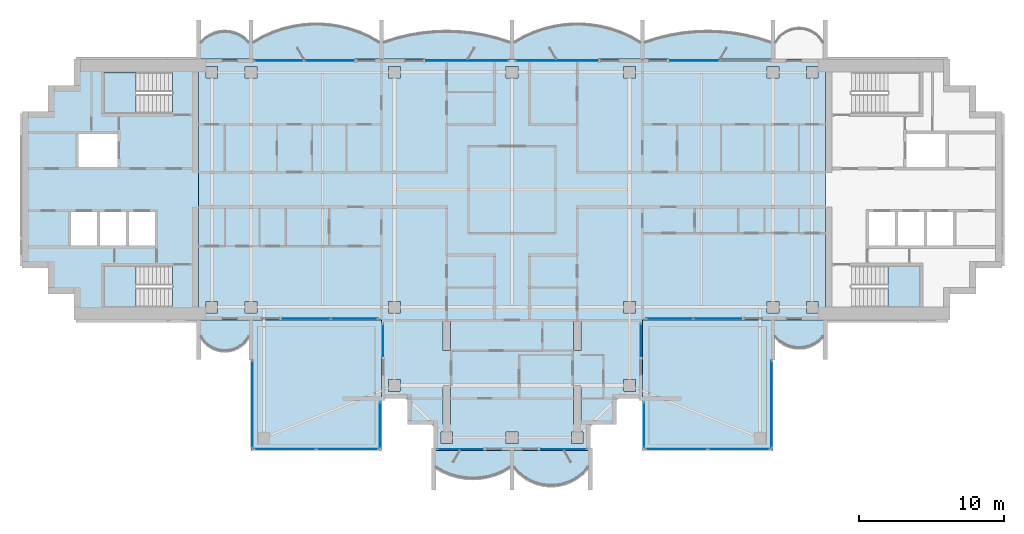
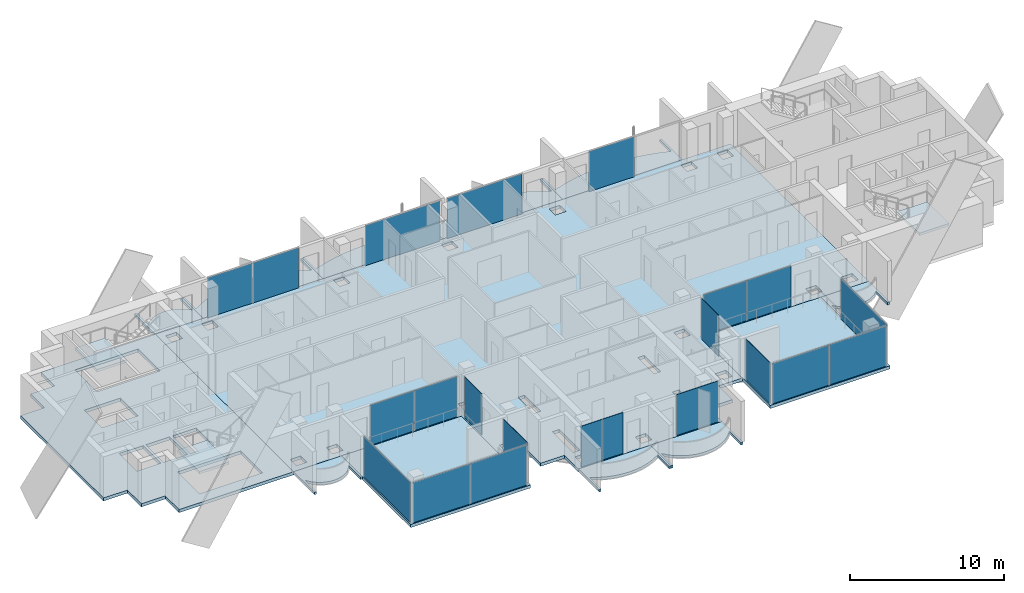
# One storey, part 5 of 16: 21 plates, 16 slabs, 19 elements without a shape of their own.
"""IFC4 building model written with IfcOpenShell, lengths in metres."""

from ifc_helpers import new_model, si_unit, direction, frame, origin, origin_2d, place, context, subcontext, project, spatial, polyline, rectangle, outline, extrude, material, layer, layer_set, type_object, element, aggregate, save


model = new_model("IFC4")

# Units and contexts
model_context = context("Model", 3, precision=1e-05, world=origin(), true_north=direction((0.0, 1.0)))
body_context = subcontext(model_context, "Body", "Model", "MODEL_VIEW")
ifc_project = project(units=[si_unit("LENGTHUNIT", "METRE"), si_unit("AREAUNIT", "SQUARE_METRE"), si_unit("VOLUMEUNIT", "CUBIC_METRE"), si_unit("PLANEANGLEUNIT", "RADIAN"), si_unit("MASSUNIT", "GRAM", prefix="KILO")], contexts=[model_context])

# Site, building, storey
site_placement = place(None, origin())
site = spatial("IfcSite", under=ifc_project, at=site_placement, CompositionType="ELEMENT")
building_placement = place(site_placement, origin())
building = spatial("IfcBuilding", under=site, at=building_placement, Name="Perihelion Cross Residences", CompositionType="ELEMENT")
storey_placement = place(building_placement, frame((0.0, 0.0, 239.5)))
storey = spatial("IfcBuildingStorey", under=building, at=storey_placement, Name="L60", CompositionType="ELEMENT", Elevation=239.5)

# Slabs
ifc_material_1 = material(Name="Concrete C40/50", Category="concrete")
ifc_layer_1 = layer(ifc_material_1, 0.199951171875)
ifc_layer_set_1 = layer_set([ifc_layer_1], Name="Balcony slab 200")
slab_type_1 = type_object("IfcSlabType", Name="Balcony slab 200", PredefinedType="FLOOR", material=ifc_layer_set_1)
slab_1_placement = place(storey_placement, frame((0.0, 0.0, -0.199951171875)))
element("IfcSlab", 1, at=slab_1_placement, inside=storey, type_object=slab_type_1, Name="Slab BK1 L60 east side north bay 2 balcony", PredefinedType="FLOOR", context=body_context, shape_type="SweptSolid", body=[
    extrude(outline(polyline([(18.0, 9.0), (9.0, 9.0), (9.0, 11.699951171875), (9.14990234375, 11.699951171875), (9.14990234375, 10.199951171875), (10.02001953125, 10.47509765625), (10.889892578125, 10.68505859375), (11.760009765625, 10.8330078125), (12.6298828125, 10.9208984375), (13.5, 10.949951171875), (14.3701171875, 10.9208984375), (15.239990234375, 10.8330078125), (16.110107421875, 10.68505859375), (16.97998046875, 10.47509765625), (17.85009765625, 10.199951171875), (17.85009765625, 11.699951171875), (18.0, 11.699951171875), (18.0, 9.0)])), origin(), (0.0, 0.0, 1.0), 0.199951171875),
])
slab_2_placement = place(storey_placement, frame((0.0, 0.0, -0.199951171875)))
element("IfcSlab", 2, at=slab_2_placement, inside=storey, type_object=slab_type_1, Name="Slab BK1 L60 north side east bay 1 balcony", PredefinedType="FLOOR", context=body_context, shape_type="SweptSolid", body=[
    extrude(outline(polyline([(9.0, 9.0), (0.0, 9.0), (0.0, 11.699951171875), (0.14990234375, 11.699951171875), (0.14990234375, 10.199951171875), (0.8193359375, 10.57666015625), (1.488525390625, 10.87646484375), (2.15771484375, 11.108154296875), (2.826904296875, 11.27734375), (3.49609375, 11.38818359375), (4.165283203125, 11.443115234375), (4.834716796875, 11.443115234375), (5.50390625, 11.38818359375), (6.173095703125, 11.27734375), (6.84228515625, 11.108154296875), (7.511474609375, 10.87646484375), (8.1806640625, 10.57666015625), (8.85009765625, 10.199951171875), (8.85009765625, 11.699951171875), (9.0, 11.699951171875), (9.0, 9.0)])), origin(), (0.0, 0.0, 1.0), 0.199951171875),
])
slab_3_placement = place(storey_placement, frame((0.0, 0.0, -0.199951171875)))
element("IfcSlab", 3, at=slab_3_placement, inside=storey, type_object=slab_type_1, Name="Slab BK1 L60 north side east bay 2 balcony", PredefinedType="FLOOR", context=body_context, shape_type="SweptSolid", body=[
    extrude(outline(polyline([(0.0, 9.0), (-9.0, 9.0), (-9.0, 11.699951171875), (-8.85009765625, 11.699951171875), (-8.85009765625, 10.199951171875), (-7.97998046875, 10.47509765625), (-7.110107421875, 10.68505859375), (-6.239990234375, 10.8330078125), (-5.3701171875, 10.9208984375), (-4.5, 10.949951171875), (-3.6298828125, 10.9208984375), (-2.760009765625, 10.8330078125), (-1.889892578125, 10.68505859375), (-1.02001953125, 10.47509765625), (-0.14990234375, 10.199951171875), (-0.14990234375, 11.699951171875), (0.0, 11.699951171875), (0.0, 9.0)])), origin(), (0.0, 0.0, 1.0), 0.199951171875),
])
slab_4_placement = place(storey_placement, frame((0.0, 0.0, -0.199951171875)))
element("IfcSlab", 4, at=slab_4_placement, inside=storey, type_object=slab_type_1, Name="Slab BK1 L60 west side north bay 1 balcony", PredefinedType="FLOOR", context=body_context, shape_type="SweptSolid", body=[
    extrude(outline(polyline([(-9.0, 9.0), (-18.0, 9.0), (-18.0, 11.699951171875), (-17.85009765625, 11.699951171875), (-17.85009765625, 10.199951171875), (-17.1806640625, 10.57666015625), (-16.511474609375, 10.87646484375), (-15.84228515625, 11.108154296875), (-15.173095703125, 11.27734375), (-14.50390625, 11.38818359375), (-13.834716796875, 11.443115234375), (-13.165283203125, 11.443115234375), (-12.49609375, 11.38818359375), (-11.826904296875, 11.27734375), (-11.15771484375, 11.108154296875), (-10.488525390625, 10.87646484375), (-9.8193359375, 10.57666015625), (-9.14990234375, 10.199951171875), (-9.14990234375, 11.699951171875), (-9.0, 11.699951171875), (-9.0, 9.0)])), origin(), (0.0, 0.0, 1.0), 0.199951171875),
])
slab_5_placement = place(storey_placement, frame((0.0, 0.0, -0.199951171875)))
element("IfcSlab", 5, at=slab_5_placement, inside=storey, type_object=slab_type_1, Name="Slab BK1 L60 west side north bay 2 balcony", PredefinedType="FLOOR", context=body_context, shape_type="SweptSolid", body=[
    extrude(outline(polyline([(-18.0, 9.0), (-21.60009765625, 9.0), (-21.60009765625, 11.699951171875), (-21.449951171875, 11.699951171875), (-21.449951171875, 10.199951171875), (-21.1201171875, 10.507568359375), (-20.7900390625, 10.71337890625), (-20.4599609375, 10.84814453125), (-20.1298828125, 10.925048828125), (-19.800048828125, 10.949951171875), (-19.469970703125, 10.925048828125), (-19.139892578125, 10.84814453125), (-18.81005859375, 10.71337890625), (-18.47998046875, 10.507568359375), (-18.14990234375, 10.199951171875), (-18.14990234375, 11.699951171875), (-18.0, 11.699951171875), (-18.0, 9.0)])), origin(), (0.0, 0.0, 1.0), 0.199951171875),
])
slab_6_placement = place(storey_placement, frame((0.0, 0.0, -0.199951171875)))
element("IfcSlab", 6, at=slab_6_placement, inside=storey, type_object=slab_type_1, Name="Slab BK1 L60 west side south bay 1 balcony", PredefinedType="FLOOR", context=body_context, shape_type="SweptSolid", body=[
    extrude(outline(polyline([(-21.60009765625, -9.0), (-18.0, -9.0), (-18.0, -11.699951171875), (-18.14990234375, -11.699951171875), (-18.14990234375, -10.199951171875), (-18.425048828125, -10.568603515625), (-18.699951171875, -10.806396484375), (-18.97509765625, -10.96875), (-19.25, -11.07568359375), (-19.52490234375, -11.136962890625), (-19.800048828125, -11.156982421875), (-20.074951171875, -11.136962890625), (-20.35009765625, -11.07568359375), (-20.625, -10.96875), (-20.89990234375, -10.806396484375), (-21.175048828125, -10.568603515625), (-21.449951171875, -10.199951171875), (-21.449951171875, -11.699951171875), (-21.60009765625, -11.699951171875), (-21.60009765625, -9.0)])), origin(), (0.0, 0.0, 1.0), 0.199951171875),
])
slab_7_placement = place(storey_placement, frame((0.0, 0.0, -0.199951171875)))
element("IfcSlab", 7, at=slab_7_placement, inside=storey, type_object=slab_type_1, Name="Slab BK1 L60 south tip south bay 1 balcony", PredefinedType="FLOOR", context=body_context, shape_type="SweptSolid", body=[
    extrude(outline(polyline([(-5.39990234375, -18.0), (0.0, -18.0), (0.0, -20.699951171875), (-0.14990234375, -20.699951171875), (-0.14990234375, -19.199951171875), (-0.659912109375, -19.4853515625), (-1.169921875, -19.694580078125), (-1.679931640625, -19.838134765625), (-2.18994140625, -19.92236328125), (-2.699951171875, -19.949951171875), (-3.2099609375, -19.92236328125), (-3.719970703125, -19.838134765625), (-4.22998046875, -19.694580078125), (-4.739990234375, -19.4853515625), (-5.25, -19.199951171875), (-5.25, -20.699951171875), (-5.39990234375, -20.699951171875), (-5.39990234375, -18.0)])), origin(), (0.0, 0.0, 1.0), 0.199951171875),
])
slab_8_placement = place(storey_placement, frame((0.0, 0.0, -0.199951171875)))
element("IfcSlab", 8, at=slab_8_placement, inside=storey, type_object=slab_type_1, Name="Slab BK1 L60 south tip south bay 2 balcony", PredefinedType="FLOOR", context=body_context, shape_type="SweptSolid", body=[
    extrude(outline(polyline([(0.0, -18.0), (5.39990234375, -18.0), (5.39990234375, -20.699951171875), (5.25, -20.699951171875), (5.25, -19.199951171875), (4.857666015625, -19.622314453125), (4.46533203125, -19.924072265625), (4.072998046875, -20.143310546875), (3.6806640625, -20.29736328125), (3.28857421875, -20.39599609375), (2.896240234375, -20.444091796875), (2.50390625, -20.444091796875), (2.111572265625, -20.39599609375), (1.71923828125, -20.29736328125), (1.326904296875, -20.143310546875), (0.9345703125, -19.924072265625), (0.542236328125, -19.622314453125), (0.14990234375, -19.199951171875), (0.14990234375, -20.699951171875), (0.0, -20.699951171875), (0.0, -18.0)])), origin(), (0.0, 0.0, 1.0), 0.199951171875),
])
slab_9_placement = place(storey_placement, frame((0.0, 0.0, -0.199951171875)))
element("IfcSlab", 9, at=slab_9_placement, inside=storey, type_object=slab_type_1, Name="Slab BK1 L60 east side south bay 2 balcony", PredefinedType="FLOOR", context=body_context, shape_type="SweptSolid", body=[
    extrude(outline(polyline([(18.0, -9.0), (21.60009765625, -9.0), (21.60009765625, -11.699951171875), (21.449951171875, -11.699951171875), (21.449951171875, -10.199951171875), (21.1201171875, -10.507568359375), (20.7900390625, -10.71337890625), (20.4599609375, -10.84814453125), (20.1298828125, -10.925048828125), (19.800048828125, -10.949951171875), (19.469970703125, -10.925048828125), (19.139892578125, -10.84814453125), (18.81005859375, -10.71337890625), (18.47998046875, -10.507568359375), (18.14990234375, -10.199951171875), (18.14990234375, -11.699951171875), (18.0, -11.699951171875), (18.0, -9.0)])), origin(), (0.0, 0.0, 1.0), 0.199951171875),
])

# Curtain wall, plate
ifc_material_2 = material(Name="Bronze anodised aluminium, tinted glazing", Category="aluminium")
curtain_wall_type_1 = type_object("IfcCurtainWallType", Name="CW1", PredefinedType="NOTDEFINED", material=ifc_material_2)
curtain_wall_1_placement = place(storey_placement, origin())
curtain_wall_1 = element("IfcCurtainWall", 10, at=curtain_wall_1_placement, inside=storey, type_object=curtain_wall_type_1, Name="Curtain wall CW1 L60 east side north bay 2", PredefinedType="NOTDEFINED")
ifc_material_3 = material(Name="Tinted laminated glass", Category="glass")
ifc_layer_2 = layer(ifc_material_3, 0.028076171875)
ifc_layer_set_2 = layer_set([ifc_layer_2], Name="CW1 panel")
plate_type_1 = type_object("IfcPlateType", Name="CW1 panel", PredefinedType="CURTAIN_PANEL", material=ifc_layer_set_2)
plate_1_placement = place(storey_placement, frame((12.610107421875, 8.89990234375, 0.0), z_axis=(0.0, 0.0, 1.0), x_axis=(-1.0, 0.0, 0.0)))
plate_1 = element("IfcPlate", 11, at=plate_1_placement, type_object=plate_type_1, Name="CW1 panel 2", PredefinedType="CURTAIN_PANEL", context=body_context, shape_type="SweptSolid", body=[
    extrude(rectangle(XDim=3.419921875, YDim=0.028076171875, at=origin_2d()), origin(), (0.0, 0.0, 1.0), 3.18994140625),
])
aggregate(curtain_wall_1, [plate_1])

curtain_wall_2_placement = place(storey_placement, origin())
curtain_wall_2 = element("IfcCurtainWall", 12, at=curtain_wall_2_placement, inside=storey, type_object=curtain_wall_type_1, Name="Curtain wall CW1 L60 north side east bay 1", PredefinedType="NOTDEFINED")
plate_2_placement = place(storey_placement, frame((3.080078125, 8.89990234375, 0.0), z_axis=(0.0, 0.0, 1.0), x_axis=(-1.0, 0.0, 0.0)))
plate_2 = element("IfcPlate", 13, at=plate_2_placement, type_object=plate_type_1, Name="CW1 panel 1", PredefinedType="CURTAIN_PANEL", context=body_context, shape_type="SweptSolid", body=[
    extrude(rectangle(XDim=5.639892578125, YDim=0.028076171875, at=origin_2d()), origin(), (0.0, 0.0, 1.0), 3.18994140625),
])
aggregate(curtain_wall_2, [plate_2])

curtain_wall_3_placement = place(storey_placement, origin())
curtain_wall_3 = element("IfcCurtainWall", 14, at=curtain_wall_3_placement, inside=storey, type_object=curtain_wall_type_1, Name="Curtain wall CW1 L60 north side east bay 2", PredefinedType="NOTDEFINED")
plate_3_placement = place(storey_placement, frame((-3.080078125, 8.89990234375, 0.0), z_axis=(0.0, 0.0, 1.0), x_axis=(-1.0, 0.0, 0.0)))
plate_3 = element("IfcPlate", 15, at=plate_3_placement, type_object=plate_type_1, Name="CW1 panel 1", PredefinedType="CURTAIN_PANEL", context=body_context, shape_type="SweptSolid", body=[
    extrude(rectangle(XDim=5.639892578125, YDim=0.028076171875, at=origin_2d()), origin(), (0.0, 0.0, 1.0), 3.18994140625),
])
aggregate(curtain_wall_3, [plate_3])

# Curtain wall, plates
curtain_wall_4_placement = place(storey_placement, origin())
curtain_wall_4 = element("IfcCurtainWall", 16, at=curtain_wall_4_placement, inside=storey, type_object=curtain_wall_type_1, Name="Curtain wall CW1 L60 west side north bay 1", PredefinedType="NOTDEFINED")
plate_4_placement = place(storey_placement, frame((-12.610107421875, 8.89990234375, 0.0), z_axis=(0.0, 0.0, 1.0), x_axis=(-1.0, 0.0, 0.0)))
plate_4 = element("IfcPlate", 17, at=plate_4_placement, type_object=plate_type_1, Name="CW1 panel 1", PredefinedType="CURTAIN_PANEL", context=body_context, shape_type="SweptSolid", body=[
    extrude(rectangle(XDim=3.419921875, YDim=0.028076171875, at=origin_2d()), origin(), (0.0, 0.0, 1.0), 3.18994140625),
])
plate_5_placement = place(storey_placement, frame((-16.06005859375, 8.89990234375, 0.0), z_axis=(0.0, 0.0, 1.0), x_axis=(-1.0, 0.0, 0.0)))
plate_5 = element("IfcPlate", 18, at=plate_5_placement, type_object=plate_type_1, Name="CW1 panel 2", PredefinedType="CURTAIN_PANEL", context=body_context, shape_type="SweptSolid", body=[
    extrude(rectangle(XDim=3.360107421875, YDim=0.028076171875, at=origin_2d()), origin(), (0.0, 0.0, 1.0), 3.18994140625),
])
aggregate(curtain_wall_4, [plate_4, plate_5])

curtain_wall_5_placement = place(storey_placement, origin())
curtain_wall_5 = element("IfcCurtainWall", 19, at=curtain_wall_5_placement, inside=storey, type_object=curtain_wall_type_1, Name="Curtain wall CW1 L60 west side south bay 2", PredefinedType="NOTDEFINED")
plate_6_placement = place(storey_placement, frame((-14.1650390625, -8.89990234375, 0.0), z_axis=(0.0, 0.0, 1.0), x_axis=(1.0, 0.0, 0.0)))
plate_6 = element("IfcPlate", 20, at=plate_6_placement, type_object=plate_type_1, Name="CW1 panel 1", PredefinedType="CURTAIN_PANEL", context=body_context, shape_type="SweptSolid", body=[
    extrude(rectangle(XDim=3.27001953125, YDim=0.028076171875, at=origin_2d()), origin(), (0.0, 0.0, 1.0), 3.18994140625),
])
plate_7_placement = place(storey_placement, frame((-10.864990234375, -8.89990234375, 0.0), z_axis=(0.0, 0.0, 1.0), x_axis=(1.0, 0.0, 0.0)))
plate_7 = element("IfcPlate", 21, at=plate_7_placement, type_object=plate_type_1, Name="CW1 panel 2", PredefinedType="CURTAIN_PANEL", context=body_context, shape_type="SweptSolid", body=[
    extrude(rectangle(XDim=3.2099609375, YDim=0.028076171875, at=origin_2d()), origin(), (0.0, 0.0, 1.0), 3.18994140625),
])
aggregate(curtain_wall_5, [plate_6, plate_7])

# Curtain wall, plate
curtain_wall_6_placement = place(storey_placement, origin())
curtain_wall_6 = element("IfcCurtainWall", 22, at=curtain_wall_6_placement, inside=storey, type_object=curtain_wall_type_1, Name="Curtain wall CW1 L60 south side west bay 1", PredefinedType="NOTDEFINED")
plate_8_placement = place(storey_placement, frame((-8.89990234375, -10.3798828125, 0.0), z_axis=(0.0, 0.0, 1.0), x_axis=(0.0, -1.0, 0.0)))
plate_8 = element("IfcPlate", 23, at=plate_8_placement, type_object=plate_type_1, Name="CW1 panel 1", PredefinedType="CURTAIN_PANEL", context=body_context, shape_type="SweptSolid", body=[
    extrude(rectangle(XDim=2.239990234375, YDim=0.028076171875, at=origin_2d()), origin(), (0.0, 0.0, 1.0), 3.25),
])
aggregate(curtain_wall_6, [plate_8])

curtain_wall_7_placement = place(storey_placement, origin())
curtain_wall_7 = element("IfcCurtainWall", 24, at=curtain_wall_7_placement, inside=storey, type_object=curtain_wall_type_1, Name="Curtain wall CW1 L60 south tip south bay 1", PredefinedType="NOTDEFINED")
plate_9_placement = place(storey_placement, frame((-3.570068359375, -17.89990234375, 0.0), z_axis=(0.0, 0.0, 1.0), x_axis=(1.0, 0.0, 0.0)))
plate_9 = element("IfcPlate", 25, at=plate_9_placement, type_object=plate_type_1, Name="CW1 panel 1", PredefinedType="CURTAIN_PANEL", context=body_context, shape_type="SweptSolid", body=[
    extrude(rectangle(XDim=3.139892578125, YDim=0.028076171875, at=origin_2d()), origin(), (0.0, 0.0, 1.0), 3.25),
])
aggregate(curtain_wall_7, [plate_9])

curtain_wall_8_placement = place(storey_placement, origin())
curtain_wall_8 = element("IfcCurtainWall", 26, at=curtain_wall_8_placement, inside=storey, type_object=curtain_wall_type_1, Name="Curtain wall CW1 L60 south tip south bay 2", PredefinedType="NOTDEFINED")
plate_10_placement = place(storey_placement, frame((3.570068359375, -17.89990234375, 0.0), z_axis=(0.0, 0.0, 1.0), x_axis=(1.0, 0.0, 0.0)))
plate_10 = element("IfcPlate", 27, at=plate_10_placement, type_object=plate_type_1, Name="CW1 panel 1", PredefinedType="CURTAIN_PANEL", context=body_context, shape_type="SweptSolid", body=[
    extrude(rectangle(XDim=3.139892578125, YDim=0.028076171875, at=origin_2d()), origin(), (0.0, 0.0, 1.0), 3.25),
])
aggregate(curtain_wall_8, [plate_10])

curtain_wall_9_placement = place(storey_placement, origin())
curtain_wall_9 = element("IfcCurtainWall", 28, at=curtain_wall_9_placement, inside=storey, type_object=curtain_wall_type_1, Name="Curtain wall CW1 L60 south side east bay 1", PredefinedType="NOTDEFINED")
plate_11_placement = place(storey_placement, frame((8.89990234375, -10.3798828125, 0.0), z_axis=(0.0, 0.0, 1.0), x_axis=(0.0, 1.0, 0.0)))
plate_11 = element("IfcPlate", 29, at=plate_11_placement, type_object=plate_type_1, Name="CW1 panel 1", PredefinedType="CURTAIN_PANEL", context=body_context, shape_type="SweptSolid", body=[
    extrude(rectangle(XDim=2.239990234375, YDim=0.028076171875, at=origin_2d()), origin(), (0.0, 0.0, 1.0), 3.25),
])
aggregate(curtain_wall_9, [plate_11])

# Curtain wall, plates
curtain_wall_10_placement = place(storey_placement, origin())
curtain_wall_10 = element("IfcCurtainWall", 30, at=curtain_wall_10_placement, inside=storey, type_object=curtain_wall_type_1, Name="Curtain wall CW1 L60 east side south bay 1", PredefinedType="NOTDEFINED")
plate_12_placement = place(storey_placement, frame((10.864990234375, -8.89990234375, 0.0), z_axis=(0.0, 0.0, 1.0), x_axis=(1.0, 0.0, 0.0)))
plate_12 = element("IfcPlate", 31, at=plate_12_placement, type_object=plate_type_1, Name="CW1 panel 1", PredefinedType="CURTAIN_PANEL", context=body_context, shape_type="SweptSolid", body=[
    extrude(rectangle(XDim=3.2099609375, YDim=0.028076171875, at=origin_2d()), origin(), (0.0, 0.0, 1.0), 3.18994140625),
])
plate_13_placement = place(storey_placement, frame((14.1650390625, -8.89990234375, 0.0), z_axis=(0.0, 0.0, 1.0), x_axis=(1.0, 0.0, 0.0)))
plate_13 = element("IfcPlate", 32, at=plate_13_placement, type_object=plate_type_1, Name="CW1 panel 2", PredefinedType="CURTAIN_PANEL", context=body_context, shape_type="SweptSolid", body=[
    extrude(rectangle(XDim=3.27001953125, YDim=0.028076171875, at=origin_2d()), origin(), (0.0, 0.0, 1.0), 3.18994140625),
])
aggregate(curtain_wall_10, [plate_12, plate_13])

# Curtain wall, plate
ifc_material_4 = material(Name="Bronze anodised aluminium, tinted glazing", Category="aluminium")
curtain_wall_type_2 = type_object("IfcCurtainWallType", Name="CW4", PredefinedType="NOTDEFINED", material=ifc_material_4)
curtain_wall_11_placement = place(storey_placement, origin())
curtain_wall_11 = element("IfcCurtainWall", 33, at=curtain_wall_11_placement, inside=storey, type_object=curtain_wall_type_2, Name="Curtain wall CW4 L60 pocket south-east 1 1", PredefinedType="NOTDEFINED")
ifc_material_5 = material(Name="Tinted laminated glass", Category="glass")
ifc_layer_3 = layer(ifc_material_5, 0.030029296875)
ifc_layer_set_3 = layer_set([ifc_layer_3], Name="CW4 panel")
plate_type_2 = type_object("IfcPlateType", Name="CW4 panel", PredefinedType="CURTAIN_PANEL", material=ifc_layer_set_3)
plate_14_placement = place(storey_placement, frame((17.89990234375, -14.784912109375, 0.0), z_axis=(0.0, 0.0, 1.0), x_axis=(0.0, -1.0, 0.0)))
plate_14 = element("IfcPlate", 34, at=plate_14_placement, type_object=plate_type_2, Name="CW4 panel 1", PredefinedType="CURTAIN_PANEL", context=body_context, shape_type="SweptSolid", body=[
    extrude(rectangle(XDim=5.969970703125, YDim=0.030029296875, at=origin_2d()), origin(), (0.0, 0.0, 1.0), 3.18994140625),
])
aggregate(curtain_wall_11, [plate_14])

# Curtain wall, plates
curtain_wall_12_placement = place(storey_placement, origin())
curtain_wall_12 = element("IfcCurtainWall", 35, at=curtain_wall_12_placement, inside=storey, type_object=curtain_wall_type_2, Name="Curtain wall CW4 L60 pocket south-east 1 2", PredefinedType="NOTDEFINED")
plate_15_placement = place(storey_placement, frame((15.64990234375, -17.89990234375, 0.0), z_axis=(0.0, 0.0, 1.0), x_axis=(-1.0, 0.0, 0.0)))
plate_15 = element("IfcPlate", 36, at=plate_15_placement, type_object=plate_type_2, Name="CW4 panel 1", PredefinedType="CURTAIN_PANEL", context=body_context, shape_type="SweptSolid", body=[
    extrude(rectangle(XDim=4.239990234375, YDim=0.030029296875, at=origin_2d()), origin(), (0.0, 0.0, 1.0), 3.18994140625),
])
plate_16_placement = place(storey_placement, frame((11.35009765625, -17.89990234375, 0.0), z_axis=(0.0, 0.0, 1.0), x_axis=(-1.0, 0.0, 0.0)))
plate_16 = element("IfcPlate", 37, at=plate_16_placement, type_object=plate_type_2, Name="CW4 panel 2", PredefinedType="CURTAIN_PANEL", context=body_context, shape_type="SweptSolid", body=[
    extrude(rectangle(XDim=4.239990234375, YDim=0.030029296875, at=origin_2d()), origin(), (0.0, 0.0, 1.0), 3.18994140625),
])
aggregate(curtain_wall_12, [plate_15, plate_16])

# Curtain wall, plate
curtain_wall_13_placement = place(storey_placement, origin())
curtain_wall_13 = element("IfcCurtainWall", 38, at=curtain_wall_13_placement, inside=storey, type_object=curtain_wall_type_2, Name="Curtain wall CW4 L60 pocket south-east 1 3", PredefinedType="NOTDEFINED")
plate_17_placement = place(storey_placement, frame((9.10009765625, -16.2294921875, 0.0), z_axis=(0.0, 0.0, 1.0), x_axis=(0.0, 1.0, 0.0)))
plate_17 = element("IfcPlate", 39, at=plate_17_placement, type_object=plate_type_2, Name="CW4 panel 1", PredefinedType="CURTAIN_PANEL", context=body_context, shape_type="SweptSolid", body=[
    extrude(rectangle(XDim=3.0810546875, YDim=0.030029296875, at=origin_2d()), origin(), (0.0, 0.0, 1.0), 3.25),
])
aggregate(curtain_wall_13, [plate_17])

curtain_wall_14_placement = place(storey_placement, origin())
curtain_wall_14 = element("IfcCurtainWall", 40, at=curtain_wall_14_placement, inside=storey, type_object=curtain_wall_type_2, Name="Curtain wall CW4 L60 pocket south-west 1 1", PredefinedType="NOTDEFINED")
plate_18_placement = place(storey_placement, frame((-9.10009765625, -16.2294921875, 0.0), z_axis=(0.0, 0.0, 1.0), x_axis=(0.0, -1.0, 0.0)))
plate_18 = element("IfcPlate", 41, at=plate_18_placement, type_object=plate_type_2, Name="CW4 panel 1", PredefinedType="CURTAIN_PANEL", context=body_context, shape_type="SweptSolid", body=[
    extrude(rectangle(XDim=3.0810546875, YDim=0.030029296875, at=origin_2d()), origin(), (0.0, 0.0, 1.0), 3.25),
])
aggregate(curtain_wall_14, [plate_18])

# Curtain wall, plates
curtain_wall_15_placement = place(storey_placement, origin())
curtain_wall_15 = element("IfcCurtainWall", 42, at=curtain_wall_15_placement, inside=storey, type_object=curtain_wall_type_2, Name="Curtain wall CW4 L60 pocket south-west 1 2", PredefinedType="NOTDEFINED")
plate_19_placement = place(storey_placement, frame((-11.35009765625, -17.89990234375, 0.0), z_axis=(0.0, 0.0, 1.0), x_axis=(-1.0, 0.0, 0.0)))
plate_19 = element("IfcPlate", 43, at=plate_19_placement, type_object=plate_type_2, Name="CW4 panel 1", PredefinedType="CURTAIN_PANEL", context=body_context, shape_type="SweptSolid", body=[
    extrude(rectangle(XDim=4.239990234375, YDim=0.030029296875, at=origin_2d()), origin(), (0.0, 0.0, 1.0), 3.18994140625),
])
plate_20_placement = place(storey_placement, frame((-15.64990234375, -17.89990234375, 0.0), z_axis=(0.0, 0.0, 1.0), x_axis=(-1.0, 0.0, 0.0)))
plate_20 = element("IfcPlate", 44, at=plate_20_placement, type_object=plate_type_2, Name="CW4 panel 2", PredefinedType="CURTAIN_PANEL", context=body_context, shape_type="SweptSolid", body=[
    extrude(rectangle(XDim=4.239990234375, YDim=0.030029296875, at=origin_2d()), origin(), (0.0, 0.0, 1.0), 3.18994140625),
])
aggregate(curtain_wall_15, [plate_19, plate_20])

# Curtain wall, plate
curtain_wall_16_placement = place(storey_placement, origin())
curtain_wall_16 = element("IfcCurtainWall", 45, at=curtain_wall_16_placement, inside=storey, type_object=curtain_wall_type_2, Name="Curtain wall CW4 L60 pocket south-west 1 3", PredefinedType="NOTDEFINED")
plate_21_placement = place(storey_placement, frame((-17.89990234375, -14.784912109375, 0.0), z_axis=(0.0, 0.0, 1.0), x_axis=(0.0, 1.0, 0.0)))
plate_21 = element("IfcPlate", 46, at=plate_21_placement, type_object=plate_type_2, Name="CW4 panel 1", PredefinedType="CURTAIN_PANEL", context=body_context, shape_type="SweptSolid", body=[
    extrude(rectangle(XDim=5.969970703125, YDim=0.030029296875, at=origin_2d()), origin(), (0.0, 0.0, 1.0), 3.18994140625),
])
aggregate(curtain_wall_16, [plate_21])

# Slab
ifc_material_6 = material(Name="Concrete C40/50", Category="concrete")
ifc_layer_4 = layer(ifc_material_6, 0.25)
ifc_layer_set_4 = layer_set([ifc_layer_4], Name="Core floor slab 250")
slab_type_2 = type_object("IfcSlabType", Name="Core floor slab 250", PredefinedType="FLOOR", material=ifc_layer_set_4)
slab_10_placement = place(storey_placement, frame((0.0, 0.0, -0.25)))
element("IfcSlab", 47, at=slab_10_placement, inside=storey, type_object=slab_type_2, Name="West core floor slab", PredefinedType="FLOOR", context=body_context, shape_type="SweptSolid", body=[
    extrude(outline(polyline([(-30.199951171875, 7.199951171875), (-32.0, 7.199951171875), (-32.0, 5.39990234375), (-33.800048828125, 5.39990234375), (-33.800048828125, -5.39990234375), (-32.0, -5.39990234375), (-32.0, -7.199951171875), (-30.199951171875, -7.199951171875), (-30.199951171875, -9.0), (-21.60009765625, -9.0), (-21.60009765625, 9.0), (-30.199951171875, 9.0), (-30.199951171875, 7.199951171875)]), holes=[polyline([(-28.14990234375, -8.10009765625), (-28.14990234375, -5.25), (-23.405029296875, -5.25), (-23.405029296875, -8.10009765625), (-28.14990234375, -8.10009765625)]), polyline([(-24.60009765625, -1.550048828125), (-24.60009765625, -3.85009765625), (-26.39990234375, -3.85009765625), (-26.39990234375, -1.550048828125), (-24.60009765625, -1.550048828125)]), polyline([(-26.60009765625, -1.550048828125), (-26.60009765625, -3.85009765625), (-28.39990234375, -3.85009765625), (-28.39990234375, -1.550048828125), (-26.60009765625, -1.550048828125)]), polyline([(-28.60009765625, -3.85009765625), (-30.39990234375, -3.85009765625), (-30.39990234375, -1.550048828125), (-28.60009765625, -1.550048828125), (-28.60009765625, -3.85009765625)]), polyline([(-27.199951171875, 3.85009765625), (-27.199951171875, 1.550048828125), (-29.89990234375, 1.550048828125), (-29.89990234375, 3.85009765625), (-27.199951171875, 3.85009765625)]), polyline([(-23.405029296875, 5.25), (-28.14990234375, 5.25), (-28.14990234375, 8.10009765625), (-23.405029296875, 8.10009765625), (-23.405029296875, 5.25)])]), origin(), (0.0, 0.0, 1.0), 0.25),
])

# Stair, slab
ifc_material_7 = material(Name="Concrete C40/50", Category="concrete")
stair_type = type_object("IfcStairType", Name="Exit stair, half-turn", PredefinedType="HALF_TURN_STAIR", material=ifc_material_7)
stair_1_placement = place(storey_placement, origin())
stair_1 = element("IfcStair", 48, at=stair_1_placement, inside=storey, type_object=stair_type, Name="L60 East core exit stair 2", PredefinedType="HALF_TURN_STAIR")
ifc_material_8 = material(Name="Concrete C40/50", Category="concrete")
ifc_layer_5 = layer(ifc_material_8, 0.199951171875)
ifc_layer_set_5 = layer_set([ifc_layer_5], Name="Exit stair landing 200")
slab_type_3 = type_object("IfcSlabType", Name="Exit stair landing 200", PredefinedType="LANDING", material=ifc_layer_set_5)
slab_11_placement = place(storey_placement, frame((0.0, 0.0, 1.550048828125)))
slab_11 = element("IfcSlab", 49, at=slab_11_placement, type_object=slab_type_3, Name="ST-E2 landing 1", PredefinedType="LANDING", context=body_context, shape_type="SweptSolid", body=[
    extrude(outline(polyline([(25.919921875, -8.10009765625), (28.14990234375, -8.10009765625), (28.14990234375, -5.25), (25.919921875, -5.25), (25.919921875, -8.10009765625)])), origin(), (0.0, 0.0, 1.0), 0.199951171875),
])
aggregate(stair_1, [slab_11])

stair_2_placement = place(storey_placement, origin())
stair_2 = element("IfcStair", 50, at=stair_2_placement, inside=storey, type_object=stair_type, Name="L60 West core exit stair 1", PredefinedType="HALF_TURN_STAIR")
slab_12_placement = place(storey_placement, frame((0.0, 0.0, 1.550048828125)))
slab_12 = element("IfcSlab", 51, at=slab_12_placement, type_object=slab_type_3, Name="ST-W1 landing 1", PredefinedType="LANDING", context=body_context, shape_type="SweptSolid", body=[
    extrude(outline(polyline([(-25.919921875, 8.10009765625), (-28.14990234375, 8.10009765625), (-28.14990234375, 5.25), (-25.919921875, 5.25), (-25.919921875, 8.10009765625)])), origin(), (0.0, 0.0, 1.0), 0.199951171875),
])
aggregate(stair_2, [slab_12])

stair_3_placement = place(storey_placement, origin())
stair_3 = element("IfcStair", 52, at=stair_3_placement, inside=storey, type_object=stair_type, Name="L60 West core exit stair 2", PredefinedType="HALF_TURN_STAIR")
slab_13_placement = place(storey_placement, frame((0.0, 0.0, 1.550048828125)))
slab_13 = element("IfcSlab", 53, at=slab_13_placement, type_object=slab_type_3, Name="ST-W2 landing 1", PredefinedType="LANDING", context=body_context, shape_type="SweptSolid", body=[
    extrude(outline(polyline([(-25.919921875, -5.25), (-28.14990234375, -5.25), (-28.14990234375, -8.10009765625), (-25.919921875, -8.10009765625), (-25.919921875, -5.25)])), origin(), (0.0, 0.0, 1.0), 0.199951171875),
])
aggregate(stair_3, [slab_13])

# Slabs
ifc_material_9 = material(Name="Concrete C50/60", Category="concrete")
ifc_layer_6 = layer(ifc_material_9, 0.25)
ifc_layer_set_6 = layer_set([ifc_layer_6], Name="Residential floor post-tensioned slab concrete C50/60")
slab_type_4 = type_object("IfcSlabType", Name="Residential floor post-tensioned slab concrete C50/60", PredefinedType="FLOOR", material=ifc_layer_set_6)
slab_14_placement = place(storey_placement, frame((0.0, 0.0, -0.25)))
element("IfcSlab", 54, at=slab_14_placement, inside=storey, type_object=slab_type_4, Name="Slab SL8 L60 1 no. 1", PredefinedType="FLOOR", context=body_context, shape_type="SweptSolid", body=[
    extrude(outline(polyline([(-9.0, 9.0), (9.0, 9.0), (21.60009765625, 9.0), (21.60009765625, -9.0), (9.0, -9.0), (9.0, -14.39990234375), (7.199951171875, -14.39990234375), (7.199951171875, -16.199951171875), (5.39990234375, -16.199951171875), (5.39990234375, -18.0), (-5.39990234375, -18.0), (-5.39990234375, -16.199951171875), (-7.199951171875, -16.199951171875), (-7.199951171875, -14.39990234375), (-9.0, -14.39990234375), (-9.0, -9.0), (-21.60009765625, -9.0), (-21.60009765625, 9.0), (-9.0, 9.0)]), holes=[polyline([(-4.10009765625, -16.699951171875), (-4.89990234375, -16.699951171875), (-4.89990234375, -17.5), (-4.10009765625, -17.5), (-4.10009765625, -16.699951171875)]), polyline([(0.39990234375, -17.5), (0.39990234375, -16.699951171875), (-0.39990234375, -16.699951171875), (-0.39990234375, -17.5), (0.39990234375, -17.5)]), polyline([(-4.25, -16.199951171875), (-4.25, -13.5), (-4.75, -13.5), (-4.75, -16.199951171875), (-4.25, -16.199951171875)]), polyline([(-7.699951171875, -13.10009765625), (-8.5, -13.10009765625), (-8.5, -13.89990234375), (-7.699951171875, -13.89990234375), (-7.699951171875, -13.10009765625)]), polyline([(-4.25, -11.10009765625), (-4.25, -9.0), (-4.75, -9.0), (-4.75, -11.10009765625), (-4.25, -11.10009765625)]), polyline([(-20.300048828125, -8.5), (-20.300048828125, -7.699951171875), (-21.10009765625, -7.699951171875), (-21.10009765625, -8.5), (-20.300048828125, -8.5)]), polyline([(-17.60009765625, -7.699951171875), (-18.39990234375, -7.699951171875), (-18.39990234375, -8.5), (-17.60009765625, -8.5), (-17.60009765625, -7.699951171875)]), polyline([(-7.699951171875, -8.5), (-7.699951171875, -7.699951171875), (-8.5, -7.699951171875), (-8.5, -8.5), (-7.699951171875, -8.5)]), polyline([(-20.300048828125, 8.5), (-21.10009765625, 8.5), (-21.10009765625, 7.699951171875), (-20.300048828125, 7.699951171875), (-20.300048828125, 8.5)]), polyline([(-17.60009765625, 7.699951171875), (-17.60009765625, 8.5), (-18.39990234375, 8.5), (-18.39990234375, 7.699951171875), (-17.60009765625, 7.699951171875)]), polyline([(-7.699951171875, 7.699951171875), (-7.699951171875, 8.5), (-8.5, 8.5), (-8.5, 7.699951171875), (-7.699951171875, 7.699951171875)]), polyline([(4.89990234375, -16.699951171875), (4.10009765625, -16.699951171875), (4.10009765625, -17.5), (4.89990234375, -17.5), (4.89990234375, -16.699951171875)]), polyline([(4.75, -16.199951171875), (4.75, -13.5), (4.25, -13.5), (4.25, -16.199951171875), (4.75, -16.199951171875)]), polyline([(8.5, -13.89990234375), (8.5, -13.10009765625), (7.699951171875, -13.10009765625), (7.699951171875, -13.89990234375), (8.5, -13.89990234375)]), polyline([(4.75, -9.0), (4.25, -9.0), (4.25, -11.10009765625), (4.75, -11.10009765625), (4.75, -9.0)]), polyline([(8.5, -8.5), (8.5, -7.699951171875), (7.699951171875, -7.699951171875), (7.699951171875, -8.5), (8.5, -8.5)]), polyline([(18.39990234375, -8.5), (18.39990234375, -7.699951171875), (17.60009765625, -7.699951171875), (17.60009765625, -8.5), (18.39990234375, -8.5)]), polyline([(21.10009765625, -7.699951171875), (20.300048828125, -7.699951171875), (20.300048828125, -8.5), (21.10009765625, -8.5), (21.10009765625, -7.699951171875)]), polyline([(0.39990234375, 7.699951171875), (0.39990234375, 8.5), (-0.39990234375, 8.5), (-0.39990234375, 7.699951171875), (0.39990234375, 7.699951171875)]), polyline([(8.5, 8.5), (7.699951171875, 8.5), (7.699951171875, 7.699951171875), (8.5, 7.699951171875), (8.5, 8.5)]), polyline([(18.39990234375, 7.699951171875), (18.39990234375, 8.5), (17.60009765625, 8.5), (17.60009765625, 7.699951171875), (18.39990234375, 7.699951171875)]), polyline([(21.10009765625, 7.699951171875), (21.10009765625, 8.5), (20.300048828125, 8.5), (20.300048828125, 7.699951171875), (21.10009765625, 7.699951171875)])]), origin(), (0.0, 0.0, 1.0), 0.25),
])
ifc_material_10 = material(Name="Concrete C40/50", Category="concrete")
ifc_layer_7 = layer(ifc_material_10, 0.25)
ifc_layer_set_7 = layer_set([ifc_layer_7], Name="Winter garden slab")
slab_type_5 = type_object("IfcSlabType", Name="Winter garden slab", PredefinedType="FLOOR", material=ifc_layer_set_7)
slab_15_placement = place(storey_placement, frame((0.0, 0.0, -0.25)))
element("IfcSlab", 55, at=slab_15_placement, inside=storey, type_object=slab_type_5, Name="Slab BK3 L60 pocket south-west", PredefinedType="FLOOR", context=body_context, shape_type="SweptSolid", body=[
    extrude(outline(polyline([(-9.0, -18.0), (-9.0, -9.0), (-18.0, -9.0), (-18.0, -18.0), (-9.0, -18.0)])), origin(), (0.0, 0.0, 1.0), 0.25),
])
slab_16_placement = place(storey_placement, frame((0.0, 0.0, -0.25)))
element("IfcSlab", 56, at=slab_16_placement, inside=storey, type_object=slab_type_5, Name="Slab BK3 L60 pocket south-east", PredefinedType="FLOOR", context=body_context, shape_type="SweptSolid", body=[
    extrude(outline(polyline([(18.0, -18.0), (18.0, -9.0), (9.0, -9.0), (9.0, -18.0), (18.0, -18.0)])), origin(), (0.0, 0.0, 1.0), 0.25),
])

save(model, "model.ifc")
